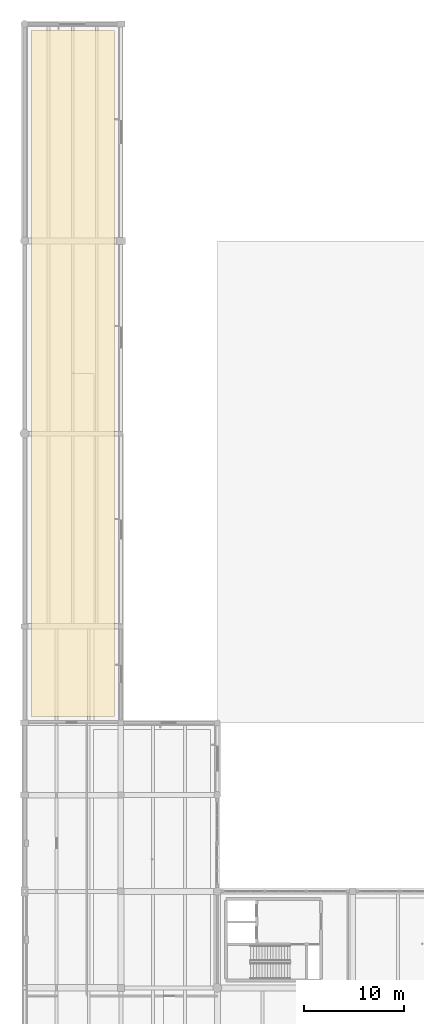
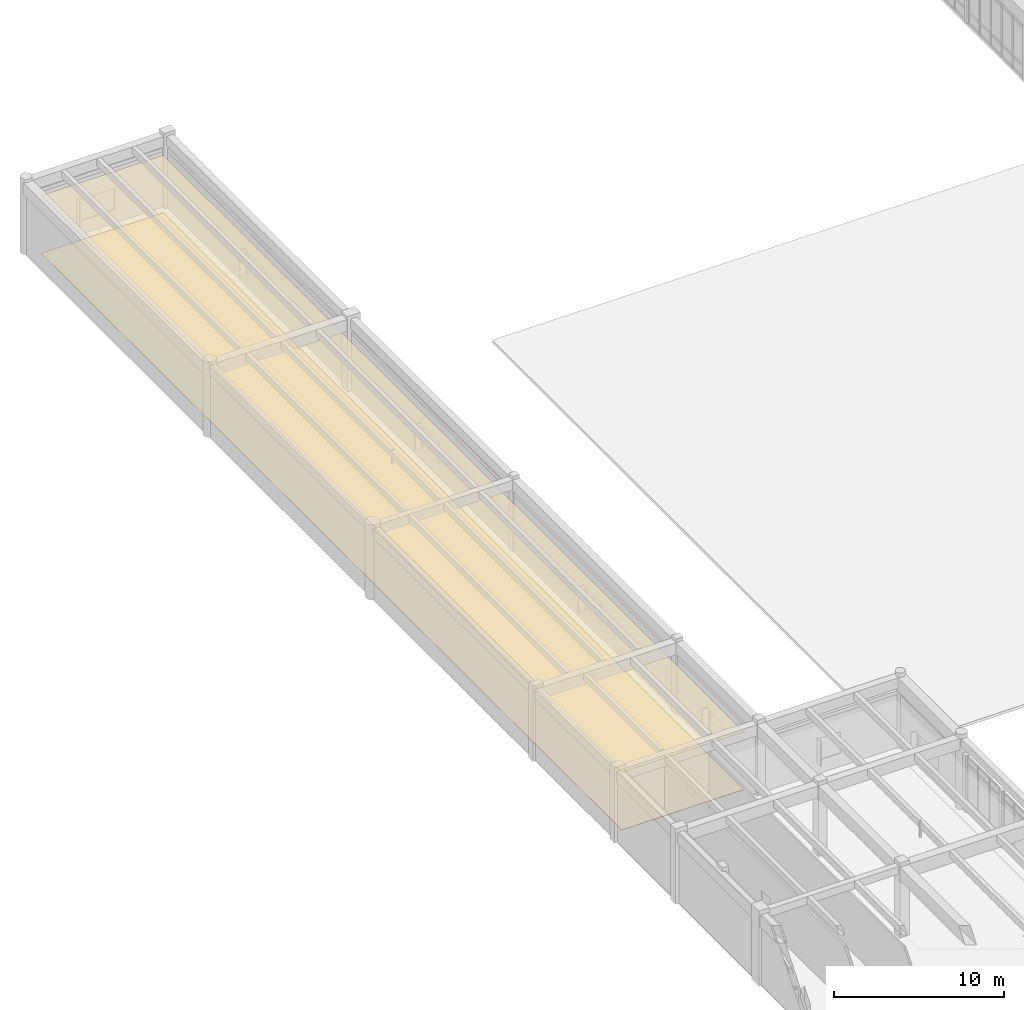
# One storey, part 132 of 138: 2 coverings.
"""IFC4 building model written with IfcOpenShell, lengths in metres."""

from ifc_helpers import new_model, si_unit, direction, frame, origin, place, context, subcontext, project, spatial, polyline, outline, extrude, material, layer, layer_set, type_object, element, save


model = new_model("IFC4")

# Units and contexts
model_context = context("Model", 3, precision=1e-05, world=origin(), true_north=direction((0.0, 1.0)))
body_context = subcontext(model_context, "Body", "Model", "MODEL_VIEW")
ifc_project = project(units=[si_unit("LENGTHUNIT", "METRE"), si_unit("AREAUNIT", "SQUARE_METRE"), si_unit("VOLUMEUNIT", "CUBIC_METRE"), si_unit("PLANEANGLEUNIT", "RADIAN"), si_unit("MASSUNIT", "GRAM", prefix="KILO")], contexts=[model_context])

# Site, building, storey
site_placement = place(None, origin())
site = spatial("IfcSite", under=ifc_project, at=site_placement, CompositionType="ELEMENT")
building_placement = place(site_placement, origin())
building = spatial("IfcBuilding", under=site, at=building_placement, Name="Fikremerkos Civic Library", CompositionType="ELEMENT")
storey_placement = place(building_placement, origin())
storey = spatial("IfcBuildingStorey", under=building, at=storey_placement, Name="L00", CompositionType="ELEMENT", Elevation=0.0)

# Coverings
ifc_material_1 = material(Name="Perforated acoustic cedar timber", Category="wood")
ifc_layer_1 = layer(ifc_material_1, 0.02490234375, Name="Perforated acoustic cedar timber")
ifc_layer_set_1 = layer_set([ifc_layer_1], Name="Perforated acoustic cedar timber")
covering_type_1 = type_object("IfcCoveringType", Name="Acoustic perforated timber ceiling CLG-01", PredefinedType="CEILING", material=ifc_layer_set_1)
covering_1_placement = place(storey_placement, frame((0.0, 0.0, 4.139892578125)))
element("IfcCovering", 1, at=covering_1_placement, inside=storey, type_object=covering_type_1, Name="Acoustic ceiling Local History Exhibition Gallery", PredefinedType="CEILING", context=body_context, shape_type="SweptSolid", body=[
    extrude(outline(polyline([(0.64990234375, 116.949951171875), (8.949951171875, 116.949951171875), (8.949951171875, 48.64990234375), (0.64990234375, 48.64990234375), (0.64990234375, 116.949951171875)])), origin(), (0.0, 0.0, 1.0), 0.025146484375),
])
ifc_material_2 = material(Name="Polished basalt terrazzo", Category="masonry")
ifc_layer_2 = layer(ifc_material_2, 0.030029296875, Name="Polished basalt terrazzo")
ifc_layer_set_2 = layer_set([ifc_layer_2], Name="Polished basalt terrazzo")
covering_type_2 = type_object("IfcCoveringType", Name="Polished basalt terrazzo flooring FLR-01", PredefinedType="FLOORING", material=ifc_layer_set_2)
covering_2_placement = place(storey_placement, origin())
element("IfcCovering", 2, at=covering_2_placement, inside=storey, type_object=covering_type_2, Name="Terrazzo floor finish Local History Exhibition Gallery", PredefinedType="FLOORING", context=body_context, shape_type="SweptSolid", body=[
    extrude(outline(polyline([(0.64990234375, 116.949951171875), (8.949951171875, 116.949951171875), (8.949951171875, 48.64990234375), (0.64990234375, 48.64990234375), (0.64990234375, 116.949951171875)])), origin(), (0.0, 0.0, 1.0), 0.030029296875),
])

save(model, "model.ifc")
